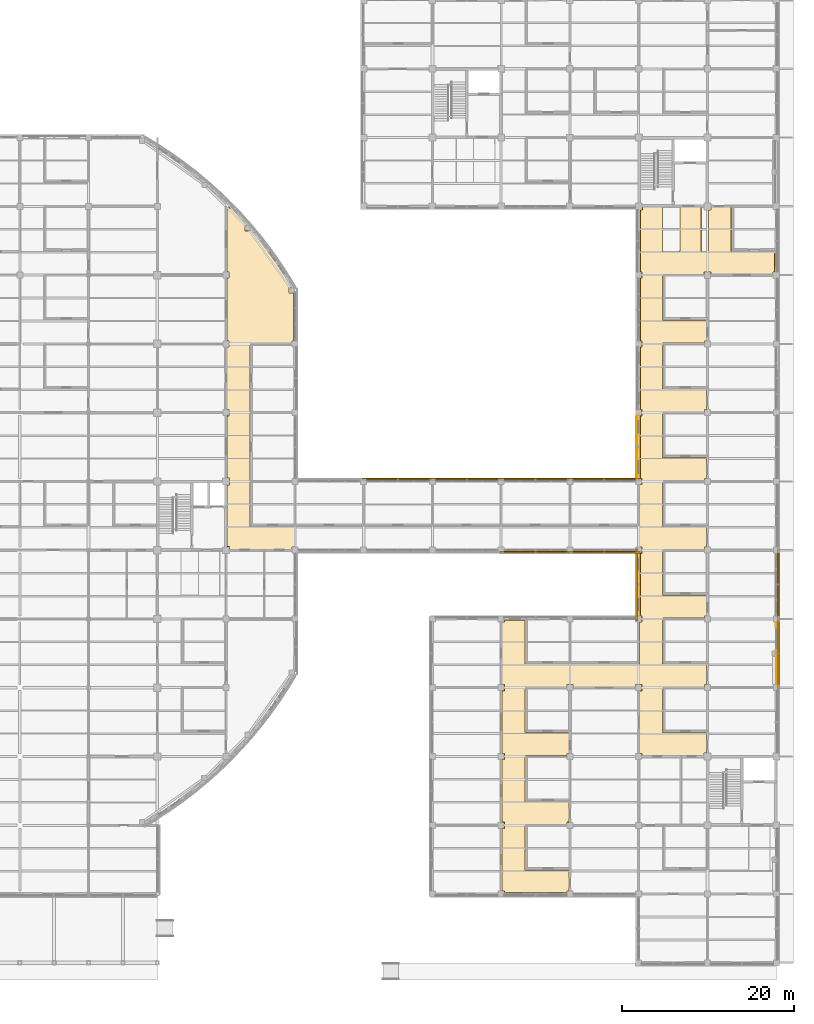
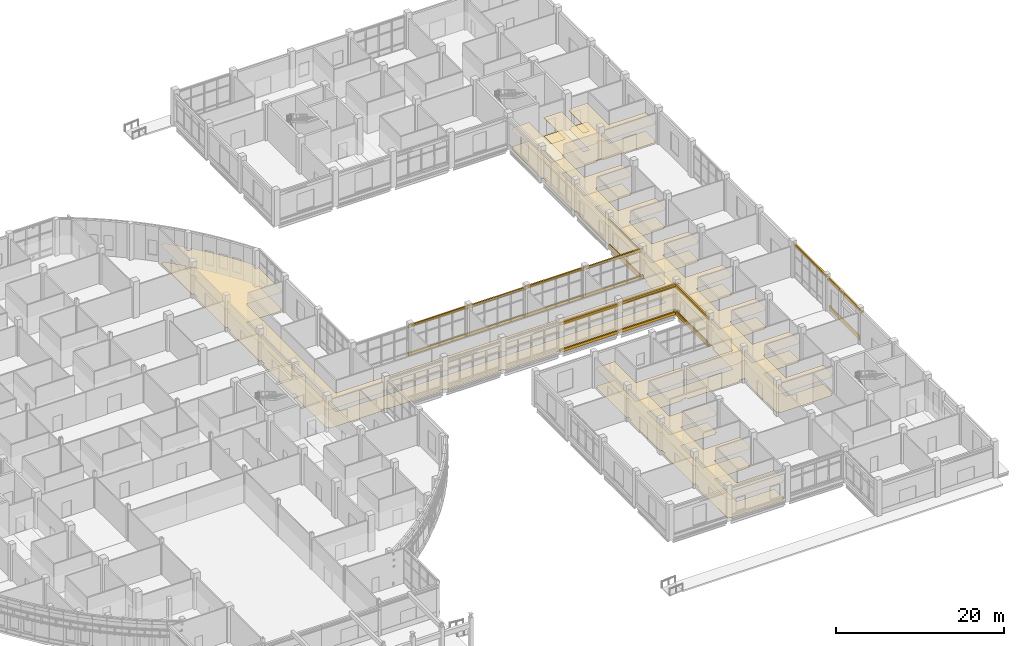
# One storey, part 103 of 105: 21 coverings, 10 shading devices.
"""IFC4 building model written with IfcOpenShell, lengths in metres."""

import ifcopenshell
import ifcopenshell.guid

model = None  # the IFC model being written
_history = None  # IfcOwnerHistory: only IFC2X3 demands one
_inside = {}  # id of a spatial element -> (the spatial element, [elements in it])
_under = {}  # id of a project, library or spatial element -> (it, [spatial elements below it])
_declared = {}  # id of a project -> (the project, [libraries it declares])
_typed = {}  # id of a type object -> (the type object, [elements of that type])
_made_of = {}  # id of a material, layer set ... -> (it, [elements and type objects made of it])


def new_model(schema):
    """Start an empty IFC model of exactly this schema.

    Asked for "IFC4X3", IfcOpenShell would pick the latest addendum, in which some entities
    have other attributes; the version numbers below select the first issue.
    IFC2X3 requires an IfcOwnerHistory on every rooted entity: one is made here for all.
    """
    global model, _history
    if schema == "IFC4X3":
        model = ifcopenshell.file(schema_version=(4, 3, 0, 0))
    else:
        model = ifcopenshell.file(schema=schema)
    _inside.clear()
    _under.clear()
    _declared.clear()
    _typed.clear()
    _made_of.clear()
    _history = None
    if model.schema == "IFC2X3":
        org = make("IfcOrganization", Name="unknown")
        user = make(
            "IfcPersonAndOrganization",
            ThePerson=make("IfcPerson", FamilyName="unknown"),
            TheOrganization=org,
        )
        app = make(
            "IfcApplication",
            ApplicationDeveloper=org,
            Version="unknown",
            ApplicationFullName="unknown",
            ApplicationIdentifier="unknown",
        )
        _history = make(
            "IfcOwnerHistory",
            OwningUser=user,
            OwningApplication=app,
            ChangeAction="ADDED",
            CreationDate=0,
        )
    return model


def make(cls, **values):
    """One entity of the class cls with the attributes given. An attribute that is None is left unset."""
    return model.create_entity(
        cls, **{name: value for name, value in values.items() if value is not None}
    )


def rooted(cls, **values):
    """An entity with a GlobalId (a new one), such as an element, a storey or a relation."""
    return make(cls, GlobalId=ifcopenshell.guid.new(), OwnerHistory=_history, **values)


def si_unit(unit_type, name, prefix=None):
    """IfcSIUnit, for example si_unit("LENGTHUNIT", "METRE", prefix="MILLI")."""
    return make("IfcSIUnit", UnitType=unit_type, Prefix=prefix, Name=name)


def derived_unit(unit_type, elements):
    """IfcDerivedUnit: a product of units, each with its exponent."""
    return make(
        "IfcDerivedUnit",
        Elements=[
            make("IfcDerivedUnitElement", Unit=unit, Exponent=power)
            for unit, power in elements
        ],
        UnitType=unit_type,
    )


def assignment(units):
    """IfcUnitAssignment: the units of a project."""
    return None if units is None else make("IfcUnitAssignment", Units=units)


def point(xyz):
    """IfcCartesianPoint."""
    return None if xyz is None else make("IfcCartesianPoint", Coordinates=xyz)


def direction(xyz):
    """IfcDirection."""
    return None if xyz is None else make("IfcDirection", DirectionRatios=xyz)


def frame(location, z_axis=None, x_axis=None):
    """IfcAxis2Placement3D, a coordinate frame: its origin and axes. An axis left out is left unset."""
    return make(
        "IfcAxis2Placement3D",
        Location=point(location),
        Axis=direction(z_axis),
        RefDirection=direction(x_axis),
    )


def frame_2d(location, x_axis=None):
    """IfcAxis2Placement2D, a coordinate frame in the plane: its origin and x axis."""
    return make(
        "IfcAxis2Placement2D", Location=point(location), RefDirection=direction(x_axis)
    )


def origin():
    """The frame at (0, 0, 0) with its axes left unset."""
    return frame((0.0, 0.0, 0.0))


def origin_2d():
    """The frame at (0, 0) in the plane with its x axis left unset."""
    return frame_2d((0.0, 0.0))


def place(relative_to, where):
    """IfcLocalPlacement: puts the frame where relative to a parent placement (None: the world)."""
    return make(
        "IfcLocalPlacement", PlacementRelTo=relative_to, RelativePlacement=where
    )


def context(
    kind, dimensions, precision=None, world=None, true_north=None, identifier=None
):
    """IfcGeometricRepresentationContext, for example the 3D "Model" context."""
    return make(
        "IfcGeometricRepresentationContext",
        ContextIdentifier=identifier,
        ContextType=kind,
        CoordinateSpaceDimension=dimensions,
        Precision=precision,
        WorldCoordinateSystem=world,
        TrueNorth=true_north,
    )


def subcontext(parent, identifier, kind, view, scale=None):
    """IfcGeometricRepresentationSubContext, for example "Body" below "Model"."""
    return make(
        "IfcGeometricRepresentationSubContext",
        ContextIdentifier=identifier,
        ContextType=kind,
        ParentContext=parent,
        TargetScale=scale,
        TargetView=view,
    )


def project(units=None, contexts=None):
    """IfcProject with its units and contexts."""
    return rooted(
        "IfcProject",
        Name="project",
        RepresentationContexts=contexts,
        UnitsInContext=assignment(units),
    )


def spatial(cls, under=None, at=None, **own):
    """A site, building, storey or space (cls), placed at a placement, below another one or the project."""
    s = rooted(cls, ObjectPlacement=at, **own)
    if under is not None:
        _under.setdefault(under.id(), (under, []))[1].append(s)
    return s


def polyline(points):
    """IfcPolyline through the points."""
    return make("IfcPolyline", Points=[point(p) for p in points])


def profile(cls, at=None, kind="AREA", **sizes):
    """A parametric profile (cls). Its sizes go by their IFC names, for example OverallWidth=200.0."""
    return make(cls, ProfileType=kind, Position=at, **sizes)


def rectangle(**sizes):
    """IfcRectangleProfileDef."""
    return profile("IfcRectangleProfileDef", **sizes)


def circle(**sizes):
    """IfcCircleProfileDef."""
    return profile("IfcCircleProfileDef", **sizes)


def outline(outer, holes=None, kind="AREA"):
    """IfcArbitraryClosedProfileDef: a profile drawn as a closed curve; with holes, ...WithVoids."""
    if holes is None:
        return make("IfcArbitraryClosedProfileDef", ProfileType=kind, OuterCurve=outer)
    return make(
        "IfcArbitraryProfileDefWithVoids",
        ProfileType=kind,
        OuterCurve=outer,
        InnerCurves=holes,
    )


def extrude(swept, where, along, depth):
    """IfcExtrudedAreaSolid: the profile swept, set in the frame where, extruded along a direction by depth."""
    return make(
        "IfcExtrudedAreaSolid",
        SweptArea=swept,
        Position=where,
        ExtrudedDirection=direction(along),
        Depth=depth,
    )


def shape(context_of_items, identifier, shape_type, items):
    """IfcShapeRepresentation: the items that make up one representation, for example the "Body"."""
    return make(
        "IfcShapeRepresentation",
        ContextOfItems=context_of_items,
        RepresentationIdentifier=identifier,
        RepresentationType=shape_type,
        Items=items,
    )


def material(Name=None, Category=None):
    """IfcMaterial."""
    return make("IfcMaterial", Name=Name, Category=Category)


def layer(
    of_material, thickness, ventilated=None, Name=None, Category=None, Priority=None
):
    """IfcMaterialLayer: one layer of a wall or slab, of a material (None: an air gap)."""
    return make(
        "IfcMaterialLayer",
        Material=of_material,
        LayerThickness=thickness,
        IsVentilated=ventilated,
        Name=Name,
        Category=Category,
        Priority=Priority,
    )


def layer_set(layers, Name=None):
    """IfcMaterialLayerSet."""
    return make("IfcMaterialLayerSet", MaterialLayers=layers, LayerSetName=Name)


def material_profile(
    of_material, cross_section, Name=None, Category=None, Priority=None
):
    """IfcMaterialProfile: a cross section and its material."""
    return make(
        "IfcMaterialProfile",
        Name=Name,
        Material=of_material,
        Profile=cross_section,
        Priority=Priority,
        Category=Category,
    )


def profile_set(profiles, Name=None, composite=None):
    """IfcMaterialProfileSet."""
    return make(
        "IfcMaterialProfileSet",
        Name=Name,
        MaterialProfiles=profiles,
        CompositeProfile=composite,
    )


def made_of(thing, what):
    """Note that an element or type object is made of a material, layer set ...; save() writes the relation."""
    if what is not None:
        _made_of.setdefault(what.id(), (what, []))[1].append(thing)
    return thing


def type_object(cls, material=None, **own):
    """A type object (cls), such as IfcWallType, which elements share."""
    return made_of(rooted(cls, **own), material)


def element(
    cls,
    number,
    at=None,
    inside=None,
    cuts=None,
    type_object=None,
    material=None,
    context=None,
    identifier="Body",
    shape_type=None,
    held_by="IfcProductDefinitionShape",
    body=None,
    shapes=None,
    **own,
):
    """One element of the class cls, such as IfcWall. Its Tag is "e" and its number.

    at: its placement. inside: the storey or other place that contains it. cuts: it is an
    opening in that element (IfcRelVoidsElement). A single representation is given by context,
    identifier, shape_type and body (its items); several are given by shapes. held_by: the class
    of the entity that holds the representations. save() writes the other relations.
    """
    e = rooted(cls, Tag="e%d" % number, ObjectPlacement=at, **own)
    if body is not None:
        shapes = [shape(context, identifier, shape_type, body)]
    if shapes is not None:
        e.Representation = make(held_by, Representations=shapes)
    if inside is not None:
        _inside.setdefault(inside.id(), (inside, []))[1].append(e)
    if cuts is not None:
        rooted(
            "IfcRelVoidsElement", RelatingBuildingElement=cuts, RelatedOpeningElement=e
        )
    if type_object is not None:
        _typed.setdefault(type_object.id(), (type_object, []))[1].append(e)
    return made_of(e, material)


def aggregate(whole, parts):
    """IfcRelAggregates: a whole, such as a stair, and the parts it consists of."""
    return rooted("IfcRelAggregates", RelatingObject=whole, RelatedObjects=parts)


def save(model, path):
    """Write the relations noted so far, then the file.

    IfcRelAggregates (storeys below a building ...), IfcRelContainedInSpatialStructure (elements
    in a storey), IfcRelDefinesByType, IfcRelAssociatesMaterial and IfcRelDeclares: one each for
    every whole, place, type object, material and project.
    """
    for whole, parts in _under.values():
        aggregate(whole, parts)
    for where, things in _inside.values():
        rooted(
            "IfcRelContainedInSpatialStructure",
            RelatedElements=things,
            RelatingStructure=where,
        )
    for kind, things in _typed.values():
        rooted("IfcRelDefinesByType", RelatedObjects=things, RelatingType=kind)
    for what, things in _made_of.values():
        rooted("IfcRelAssociatesMaterial", RelatedObjects=things, RelatingMaterial=what)
    for by, libraries in _declared.values():
        rooted("IfcRelDeclares", RelatingContext=by, RelatedDefinitions=libraries)
    model.write(path)


model = new_model("IFC4")

# Units and contexts
model_context = context("Model", 3, precision=1e-05, world=origin(), true_north=direction((0.0, 1.0)))
body_context = subcontext(model_context, "Body", "Model", "MODEL_VIEW")
ifc_project = project(units=[si_unit("LENGTHUNIT", "METRE"), si_unit("AREAUNIT", "SQUARE_METRE"), si_unit("VOLUMEUNIT", "CUBIC_METRE"), si_unit("PLANEANGLEUNIT", "RADIAN"), si_unit("MASSUNIT", "GRAM", prefix="KILO"), derived_unit("THERMALTRANSMITTANCEUNIT", [(si_unit("MASSUNIT", "GRAM", prefix="KILO"), 1), (si_unit("TIMEUNIT", "SECOND"), -3), (si_unit("THERMODYNAMICTEMPERATUREUNIT", "KELVIN"), -1)])], contexts=[model_context])

# Site, building, storey
site_placement = place(None, origin())
site = spatial("IfcSite", under=ifc_project, at=site_placement, CompositionType="ELEMENT")
building_placement = place(site_placement, origin())
building = spatial("IfcBuilding", under=site, at=building_placement, Name="Veyamyaing Civic Hall", CompositionType="ELEMENT")
storey_placement = place(building_placement, origin())
storey = spatial("IfcBuildingStorey", under=building, at=storey_placement, Name="L00", CompositionType="ELEMENT", Elevation=0.0)

# Coverings
ifc_material_1 = material(Name="Buff sandstone ashlar cladding", Category="masonry")
ifc_layer_1 = layer(ifc_material_1, 0.050048828125, Name="Buff sandstone ashlar cladding")
ifc_layer_set_1 = layer_set([ifc_layer_1], Name="Buff sandstone ashlar cladding")
covering_type_1 = type_object("IfcCoveringType", Name="CL-01", PredefinedType="CLADDING", material=ifc_layer_set_1)
for number, where, z_axis, x_axis, name in (
    (1, (159.839111328125, 44.0, 0.044921875), (0.0, 0.0, 1.0), (0.0, 1.0, 0.0), "Facade spandrel cladding CL-01 L00 W 21.6"),
    (2, (159.839111328125, 60.0, 0.044921875), (0.0, 0.0, 1.0), (0.0, 1.0, 0.0), "Facade spandrel cladding CL-01 L00 W 21.8"),
    (3, (176.156005859375, 36.0, 0.044921875), (0.0, 0.0, 1.0), (0.0, 1.0, 0.0), "Facade spandrel cladding CL-01 L00 E 22.5"),
):
    element("IfcCovering", number, at=place(storey_placement, frame(where, z_axis=z_axis, x_axis=x_axis)), inside=storey, type_object=covering_type_1, Name=name, PredefinedType="CLADDING", context=body_context, shape_type="SweptSolid", body=[
        extrude(rectangle(XDim=7.25, YDim=0.050048828125, at=origin_2d()), origin(), (0.0, 0.0, 1.0), 0.75),
    ])
ifc_material_2 = material(Name="White powder-coated aluminium 6063-T6", Category="aluminium")
ifc_layer_2 = layer(ifc_material_2, 0.2099609375, Name="White powder-coated aluminium 6063-T6")
ifc_layer_set_2 = layer_set([ifc_layer_2], Name="White powder-coated aluminium 6063-T6")
covering_type_2 = type_object("IfcCoveringType", Name="CL-03", PredefinedType="CLADDING", material=ifc_layer_set_2)
for number, where, z_axis, x_axis, name in (
    (4, (132.0, 56.239990234375, 4.297119140625), (0.0, 0.0, 1.0), (1.0, 0.0, 0.0), "Continuous white head fascia ribbon CL-03 L00 N 17.7"),
    (5, (132.0, 56.239990234375, 0.280029296875), (0.0, 0.0, 1.0), (1.0, 0.0, 0.0), "Continuous white sill fascia ribbon CL-03 L00 N 17.7"),
    (6, (140.0, 56.239990234375, 4.22998046875), (0.0, 0.0, 1.0), (1.0, 0.0, 0.0), "Continuous white head fascia ribbon CL-03 L00 N 18.7"),
    (7, (140.0, 56.239990234375, 0.280029296875), (0.0, 0.0, 1.0), (1.0, 0.0, 0.0), "Continuous white sill fascia ribbon CL-03 L00 N 18.7"),
    (8, (148.0, 47.760009765625, 4.22998046875), (0.0, 0.0, 1.0), (1.0, 0.0, 0.0), "Continuous white head fascia ribbon CL-03 L00 S 19.7"),
    (9, (148.0, 47.760009765625, 0.280029296875), (0.0, 0.0, 1.0), (1.0, 0.0, 0.0), "Continuous white sill fascia ribbon CL-03 L00 S 19.7"),
    (10, (148.0, 56.239990234375, 4.2939453125), (0.0, 0.0, 1.0), (1.0, 0.0, 0.0), "Continuous white head fascia ribbon CL-03 L00 N 19.7"),
    (11, (148.0, 56.239990234375, 0.280029296875), (0.0, 0.0, 1.0), (1.0, 0.0, 0.0), "Continuous white sill fascia ribbon CL-03 L00 N 19.7"),
    (12, (156.0, 47.760009765625, 4.2939453125), (0.0, 0.0, 1.0), (1.0, 0.0, 0.0), "Continuous white head fascia ribbon CL-03 L00 S 20.7"),
    (13, (156.0, 47.760009765625, 0.280029296875), (0.0, 0.0, 1.0), (1.0, 0.0, 0.0), "Continuous white sill fascia ribbon CL-03 L00 S 20.7"),
    (14, (156.0, 56.239990234375, 4.234130859375), (0.0, 0.0, 1.0), (1.0, 0.0, 0.0), "Continuous white head fascia ribbon CL-03 L00 N 20.7"),
    (15, (156.0, 56.239990234375, 0.280029296875), (0.0, 0.0, 1.0), (1.0, 0.0, 0.0), "Continuous white sill fascia ribbon CL-03 L00 N 20.7"),
    (16, (159.760009765625, 44.0, 4.2939453125), (0.0, 0.0, 1.0), (0.0, 1.0, 0.0), "Continuous white head fascia ribbon CL-03 L00 W 21.6"),
    (17, (159.760009765625, 44.0, 0.280029296875), (0.0, 0.0, 1.0), (0.0, 1.0, 0.0), "Continuous white sill fascia ribbon CL-03 L00 W 21.6"),
    (18, (176.239990234375, 36.0, 4.234130859375), (0.0, 0.0, 1.0), (0.0, 1.0, 0.0), "Continuous white head fascia ribbon CL-03 L00 E 22.5"),
    (19, (176.239990234375, 44.0, 4.297119140625), (0.0, 0.0, 1.0), (0.0, 1.0, 0.0), "Continuous white head fascia ribbon CL-03 L00 E 22.6"),
):
    element("IfcCovering", number, at=place(storey_placement, frame(where, z_axis=z_axis, x_axis=x_axis)), inside=storey, type_object=covering_type_2, Name=name, PredefinedType="CLADDING", context=body_context, shape_type="SweptSolid", body=[
        extrude(rectangle(XDim=8.360107421875, YDim=0.2099609375, at=origin_2d()), origin(), (0.0, 0.0, 1.0), 0.39990234375),
    ])
ifc_material_3 = material(Name="Perforated acoustic gypsum ceiling board")
ifc_layer_3 = layer(ifc_material_3, 0.02490234375, Name="Perforated acoustic gypsum ceiling board")
ifc_layer_set_3 = layer_set([ifc_layer_3], Name="Perforated acoustic gypsum ceiling board")
covering_type_3 = type_object("IfcCoveringType", Name="CLG-01", PredefinedType="CEILING", material=ifc_layer_set_3)
covering_1_placement = place(storey_placement, frame((0.0, 0.0, 2.699951171875)))
element("IfcCovering", 20, at=covering_1_placement, inside=storey, type_object=covering_type_3, Name="Acoustic suspended ceiling CLG-01 L00-C06", PredefinedType="CEILING", context=body_context, shape_type="SweptSolid", body=[
    extrude(outline(polyline([(114.595703125, 85.751708984375), (114.210205078125, 85.751708984375), (114.210205078125, 85.181640625), (114.780029296875, 85.181640625), (114.780029296875, 85.537841796875), (115.83740234375, 84.26171875), (116.9267578125, 82.842041015625), (117.962158203125, 81.3828125), (118.9423828125, 79.8857421875), (119.77392578125, 78.505859375), (119.351318359375, 78.505859375), (119.351318359375, 77.935791015625), (119.844970703125, 77.935791015625), (119.844970703125, 72.3349609375), (119.6650390625, 72.3349609375), (119.6650390625, 72.074951171875), (114.851806640625, 72.074951171875), (114.8291015625, 72.071533203125), (114.80224609375, 72.057373046875), (114.788330078125, 72.0419921875), (114.77685546875, 72.014404296875), (114.77490234375, 50.8525390625), (114.78125, 50.821533203125), (114.79736328125, 50.79736328125), (114.822021484375, 50.78076171875), (114.84326171875, 50.775390625), (159.998779296875, 50.77490234375), (160.013916015625, 50.776611328125), (160.03515625, 50.7841796875), (160.052734375, 50.797119140625), (160.06591796875, 50.814697265625), (160.073486328125, 50.8359375), (160.074951171875, 50.851318359375), (160.074951171875, 55.6650390625), (160.3349609375, 55.6650390625), (160.3349609375, 56.3349609375), (160.155029296875, 56.3349609375), (160.155029296875, 63.6650390625), (160.3349609375, 63.6650390625), (160.3349609375, 64.3349609375), (160.155029296875, 64.3349609375), (160.155029296875, 71.6650390625), (160.3349609375, 71.6650390625), (160.3349609375, 72.3349609375), (160.155029296875, 72.3349609375), (160.155029296875, 79.6650390625), (160.3349609375, 79.6650390625), (160.3349609375, 80.3349609375), (160.155029296875, 80.3349609375), (160.155029296875, 87.614990234375), (160.385009765625, 87.614990234375), (160.385009765625, 87.925048828125), (162.77490234375, 87.925048828125), (162.77490234375, 82.851806640625), (162.778564453125, 82.828369140625), (162.78759765625, 82.80908203125), (162.80908203125, 82.78759765625), (162.828369140625, 82.778564453125), (162.851806640625, 82.77490234375), (164.6982421875, 82.77490234375), (164.7216796875, 82.778564453125), (164.741455078125, 82.787841796875), (164.7578125, 82.802490234375), (164.768798828125, 82.82080078125), (164.77490234375, 82.8525390625), (164.77490234375, 87.925048828125), (167.27490234375, 87.925048828125), (167.27490234375, 82.8525390625), (167.28125, 82.821533203125), (167.29736328125, 82.79736328125), (167.321533203125, 82.78125), (167.352294921875, 82.77490234375), (168.006591796875, 82.775390625), (168.028564453125, 82.781005859375), (168.046875, 82.7919921875), (168.066162109375, 82.8154296875), (168.072998046875, 82.8349609375), (168.074951171875, 87.614990234375), (168.385009765625, 87.614990234375), (168.385009765625, 87.925048828125), (170.77490234375, 87.925048828125), (170.77490234375, 82.8525390625), (170.78125, 82.821533203125), (170.79736328125, 82.79736328125), (170.821533203125, 82.78125), (170.8525390625, 82.77490234375), (175.844970703125, 82.77490234375), (175.844970703125, 80.360107421875), (175.639892578125, 80.360107421875), (175.639892578125, 80.074951171875), (168.360107421875, 80.074951171875), (168.360107421875, 80.360107421875), (167.639892578125, 80.360107421875), (167.639892578125, 80.074951171875), (162.851806640625, 80.074951171875), (162.8291015625, 80.071533203125), (162.802734375, 80.0576171875), (162.7841796875, 80.03515625), (162.775390625, 80.006103515625), (162.77490234375, 74.8525390625), (162.78125, 74.821533203125), (162.79736328125, 74.79736328125), (162.821533203125, 74.78125), (162.8525390625, 74.77490234375), (167.925048828125, 74.77490234375), (167.925048828125, 72.3349609375), (167.6650390625, 72.3349609375), (167.6650390625, 72.074951171875), (162.851806640625, 72.074951171875), (162.8291015625, 72.071533203125), (162.802734375, 72.0576171875), (162.7841796875, 72.03515625), (162.775390625, 72.006103515625), (162.77490234375, 66.8525390625), (162.78125, 66.821533203125), (162.79736328125, 66.79736328125), (162.821533203125, 66.78125), (162.8525390625, 66.77490234375), (167.925048828125, 66.77490234375), (167.925048828125, 64.3349609375), (167.6650390625, 64.3349609375), (167.6650390625, 64.074951171875), (162.851806640625, 64.074951171875), (162.8291015625, 64.071533203125), (162.802734375, 64.0576171875), (162.7841796875, 64.03515625), (162.775390625, 64.006103515625), (162.77490234375, 58.8525390625), (162.78125, 58.821533203125), (162.79736328125, 58.79736328125), (162.821533203125, 58.78125), (162.8525390625, 58.77490234375), (167.925048828125, 58.77490234375), (167.925048828125, 56.3349609375), (167.6650390625, 56.3349609375), (167.6650390625, 56.074951171875), (162.851806640625, 56.074951171875), (162.8291015625, 56.071533203125), (162.802734375, 56.0576171875), (162.783935546875, 56.03466796875), (162.77685546875, 56.01513671875), (162.77490234375, 50.8525390625), (162.78125, 50.821533203125), (162.79736328125, 50.79736328125), (162.821533203125, 50.78125), (162.8525390625, 50.77490234375), (167.925048828125, 50.77490234375), (167.925048828125, 48.3349609375), (167.6650390625, 48.3349609375), (167.6650390625, 48.074951171875), (162.851806640625, 48.074951171875), (162.8291015625, 48.071533203125), (162.80224609375, 48.057373046875), (162.787841796875, 48.04150390625), (162.778564453125, 48.021728515625), (162.77490234375, 47.998291015625), (162.77490234375, 42.851806640625), (162.778564453125, 42.828369140625), (162.787841796875, 42.80859375), (162.802978515625, 42.791748046875), (162.814208984375, 42.7841796875), (162.8359375, 42.776611328125), (162.851318359375, 42.77490234375), (167.925048828125, 42.77490234375), (167.925048828125, 40.3349609375), (167.6650390625, 40.3349609375), (167.6650390625, 40.074951171875), (162.8525390625, 40.074951171875), (162.821533203125, 40.06884765625), (162.79736328125, 40.052734375), (162.78125, 40.028564453125), (162.77490234375, 39.99755859375), (162.77685546875, 34.8349609375), (162.783935546875, 34.8154296875), (162.802734375, 34.79248046875), (162.8291015625, 34.7783203125), (162.851806640625, 34.77490234375), (167.925048828125, 34.77490234375), (167.925048828125, 32.3349609375), (167.6650390625, 32.3349609375), (167.6650390625, 32.074951171875), (162.8525390625, 32.074951171875), (162.821533203125, 32.06884765625), (162.79736328125, 32.052734375), (162.78125, 32.028564453125), (162.77490234375, 31.99755859375), (162.775390625, 26.843994140625), (162.7841796875, 26.81494140625), (162.802734375, 26.79248046875), (162.8291015625, 26.7783203125), (162.851806640625, 26.77490234375), (167.925048828125, 26.77490234375), (167.925048828125, 24.385009765625), (167.614990234375, 24.385009765625), (167.614990234375, 24.074951171875), (160.3349609375, 24.074951171875), (160.3349609375, 24.3349609375), (160.074951171875, 24.3349609375), (160.074951171875, 31.6650390625), (160.3349609375, 31.6650390625), (160.3349609375, 32.3349609375), (159.6650390625, 32.3349609375), (159.6650390625, 32.074951171875), (152.3349609375, 32.074951171875), (152.3349609375, 32.3349609375), (151.6650390625, 32.3349609375), (151.6650390625, 32.074951171875), (146.851806640625, 32.074951171875), (146.8291015625, 32.071533203125), (146.80224609375, 32.057373046875), (146.787841796875, 32.04150390625), (146.778564453125, 32.021728515625), (146.77490234375, 31.998291015625), (146.77490234375, 26.8525390625), (146.78125, 26.821533203125), (146.79736328125, 26.79736328125), (146.821533203125, 26.78125), (146.8525390625, 26.77490234375), (151.925048828125, 26.77490234375), (151.925048828125, 24.3349609375), (151.6650390625, 24.3349609375), (151.6650390625, 24.074951171875), (146.851318359375, 24.074951171875), (146.8359375, 24.073486328125), (146.814208984375, 24.065673828125), (146.802978515625, 24.05810546875), (146.787841796875, 24.04150390625), (146.778564453125, 24.021728515625), (146.77490234375, 23.998291015625), (146.77490234375, 18.851806640625), (146.778564453125, 18.828369140625), (146.787841796875, 18.80859375), (146.80224609375, 18.792724609375), (146.8291015625, 18.7783203125), (146.851806640625, 18.77490234375), (151.925048828125, 18.77490234375), (151.925048828125, 16.3349609375), (151.6650390625, 16.3349609375), (151.6650390625, 16.074951171875), (146.8525390625, 16.074951171875), (146.821533203125, 16.06884765625), (146.79736328125, 16.052734375), (146.78125, 16.028564453125), (146.77490234375, 15.99755859375), (146.77685546875, 10.8349609375), (146.783935546875, 10.8154296875), (146.802734375, 10.79248046875), (146.8291015625, 10.7783203125), (146.851806640625, 10.77490234375), (151.925048828125, 10.77490234375), (151.925048828125, 8.3349609375), (151.6650390625, 8.3349609375), (151.6650390625, 8.155029296875), (144.3349609375, 8.155029296875), (144.3349609375, 8.3349609375), (144.074951171875, 8.3349609375), (144.074951171875, 15.6650390625), (144.3349609375, 15.6650390625), (144.3349609375, 16.3349609375), (144.074951171875, 16.3349609375), (144.074951171875, 23.6650390625), (144.3349609375, 23.6650390625), (144.3349609375, 24.3349609375), (144.074951171875, 24.3349609375), (144.074951171875, 31.6650390625), (144.3349609375, 31.6650390625), (144.3349609375, 32.3349609375), (144.074951171875, 32.3349609375), (144.074951171875, 39.6650390625), (144.3349609375, 39.6650390625), (144.3349609375, 39.844970703125), (146.77490234375, 39.844970703125), (146.77490234375, 34.851806640625), (146.778564453125, 34.828369140625), (146.787841796875, 34.80859375), (146.80224609375, 34.792724609375), (146.8291015625, 34.7783203125), (146.851806640625, 34.77490234375), (159.998779296875, 34.77490234375), (160.013916015625, 34.776611328125), (160.03515625, 34.7841796875), (160.052734375, 34.797119140625), (160.06591796875, 34.814697265625), (160.073486328125, 34.8359375), (160.074951171875, 34.851318359375), (160.074951171875, 39.6650390625), (160.3349609375, 39.6650390625), (160.3349609375, 40.3349609375), (160.155029296875, 40.3349609375), (160.155029296875, 47.6650390625), (160.3349609375, 47.6650390625), (160.3349609375, 48.3349609375), (159.6650390625, 48.3349609375), (159.6650390625, 48.155029296875), (152.3349609375, 48.155029296875), (152.3349609375, 48.3349609375), (151.6650390625, 48.3349609375), (151.6650390625, 48.155029296875), (144.3349609375, 48.155029296875), (144.3349609375, 48.3349609375), (143.6650390625, 48.3349609375), (143.6650390625, 48.155029296875), (136.3349609375, 48.155029296875), (136.3349609375, 48.3349609375), (135.6650390625, 48.3349609375), (135.6650390625, 48.155029296875), (128.3349609375, 48.155029296875), (128.3349609375, 48.3349609375), (127.6650390625, 48.3349609375), (127.6650390625, 48.155029296875), (120.3349609375, 48.155029296875), (120.3349609375, 48.3349609375), (119.6650390625, 48.3349609375), (119.6650390625, 48.074951171875), (112.385009765625, 48.074951171875), (112.385009765625, 48.385009765625), (112.074951171875, 48.385009765625), (112.074951171875, 55.614990234375), (112.385009765625, 55.614990234375), (112.385009765625, 56.385009765625), (112.074951171875, 56.385009765625), (112.074951171875, 63.6650390625), (112.3349609375, 63.6650390625), (112.3349609375, 64.3349609375), (112.074951171875, 64.3349609375), (112.074951171875, 71.6650390625), (112.3349609375, 71.6650390625), (112.3349609375, 72.3349609375), (112.074951171875, 72.3349609375), (112.074951171875, 79.6650390625), (112.3349609375, 79.6650390625), (112.3349609375, 80.3349609375), (112.074951171875, 80.3349609375), (112.074951171875, 87.844970703125), (112.664306640625, 87.844970703125), (113.503662109375, 86.9736328125), (114.595703125, 85.751708984375)])), origin(), (0.0, 0.0, 1.0), 0.025146484375),
])
ifc_material_4 = material(Name="Polished Mandalay marble and terrazzo flooring", Category="masonry")
ifc_layer_4 = layer(ifc_material_4, 0.030029296875, Name="Polished Mandalay marble and terrazzo flooring")
ifc_layer_set_4 = layer_set([ifc_layer_4], Name="Polished Mandalay marble and terrazzo flooring")
covering_type_4 = type_object("IfcCoveringType", Name="FLR-01", PredefinedType="FLOORING", material=ifc_layer_set_4)
covering_2_placement = place(storey_placement, origin())
element("IfcCovering", 21, at=covering_2_placement, inside=storey, type_object=covering_type_4, Name="Stone and terrazzo flooring FLR-01 L00-C06", PredefinedType="FLOORING", context=body_context, shape_type="SweptSolid", body=[
    extrude(outline(polyline([(114.539794921875, 85.776611328125), (114.18505859375, 85.776611328125), (114.18505859375, 85.156494140625), (114.80517578125, 85.156494140625), (114.80517578125, 85.468505859375), (115.81787109375, 84.24609375), (116.906494140625, 82.8271484375), (117.94140625, 81.36865234375), (118.921142578125, 79.87255859375), (119.7294921875, 78.53076171875), (119.326416015625, 78.53076171875), (119.326416015625, 77.910888671875), (119.820068359375, 77.910888671875), (119.820068359375, 72.360107421875), (119.639892578125, 72.360107421875), (119.639892578125, 72.10009765625), (114.85009765625, 72.10009765625), (114.821044921875, 72.095703125), (114.78662109375, 72.077392578125), (114.766845703125, 72.0556640625), (114.751953125, 72.01953125), (114.75, 50.85009765625), (114.757568359375, 50.811767578125), (114.779296875, 50.779296875), (114.811767578125, 50.757568359375), (114.840087890625, 50.75048828125), (160.0, 50.75), (160.01953125, 50.751953125), (160.047119140625, 50.76171875), (160.07080078125, 50.779296875), (160.088134765625, 50.802978515625), (160.09814453125, 50.83056640625), (160.10009765625, 50.85009765625), (160.10009765625, 55.639892578125), (160.360107421875, 55.639892578125), (160.360107421875, 56.360107421875), (160.179931640625, 56.360107421875), (160.179931640625, 63.639892578125), (160.360107421875, 63.639892578125), (160.360107421875, 64.360107421875), (160.179931640625, 64.360107421875), (160.179931640625, 71.639892578125), (160.360107421875, 71.639892578125), (160.360107421875, 72.360107421875), (160.179931640625, 72.360107421875), (160.179931640625, 79.639892578125), (160.360107421875, 79.639892578125), (160.360107421875, 80.360107421875), (160.179931640625, 80.360107421875), (160.179931640625, 87.590087890625), (160.409912109375, 87.590087890625), (160.409912109375, 87.89990234375), (162.75, 87.89990234375), (162.75, 82.85009765625), (162.75439453125, 82.821044921875), (162.766845703125, 82.79443359375), (162.79443359375, 82.766845703125), (162.821044921875, 82.75439453125), (162.85009765625, 82.75), (164.699951171875, 82.75), (164.72900390625, 82.75439453125), (164.755615234375, 82.766845703125), (164.77734375, 82.78662109375), (164.79248046875, 82.811767578125), (164.800048828125, 82.85009765625), (164.800048828125, 87.89990234375), (167.25, 87.89990234375), (167.25, 82.85009765625), (167.257568359375, 82.811767578125), (167.279296875, 82.779296875), (167.311767578125, 82.757568359375), (167.35009765625, 82.75), (168.009765625, 82.75048828125), (168.038330078125, 82.757568359375), (168.0634765625, 82.772705078125), (168.088134765625, 82.802978515625), (168.09814453125, 82.83056640625), (168.10009765625, 87.590087890625), (168.409912109375, 87.590087890625), (168.409912109375, 87.89990234375), (170.75, 87.89990234375), (170.75, 82.85009765625), (170.757568359375, 82.811767578125), (170.779296875, 82.779296875), (170.811767578125, 82.757568359375), (170.85009765625, 82.75), (175.820068359375, 82.75), (175.820068359375, 80.385009765625), (175.614990234375, 80.385009765625), (175.614990234375, 80.10009765625), (168.385009765625, 80.10009765625), (168.385009765625, 80.385009765625), (167.614990234375, 80.385009765625), (167.614990234375, 80.10009765625), (162.85009765625, 80.10009765625), (162.821044921875, 80.095703125), (162.78662109375, 80.077392578125), (162.76171875, 80.047119140625), (162.75048828125, 80.009765625), (162.75, 74.85009765625), (162.757568359375, 74.811767578125), (162.779296875, 74.779296875), (162.811767578125, 74.757568359375), (162.85009765625, 74.75), (167.89990234375, 74.75), (167.89990234375, 72.360107421875), (167.639892578125, 72.360107421875), (167.639892578125, 72.10009765625), (162.85009765625, 72.10009765625), (162.821044921875, 72.095703125), (162.78662109375, 72.077392578125), (162.76171875, 72.047119140625), (162.75048828125, 72.009765625), (162.75, 66.85009765625), (162.757568359375, 66.811767578125), (162.779296875, 66.779296875), (162.811767578125, 66.757568359375), (162.85009765625, 66.75), (167.89990234375, 66.75), (167.89990234375, 64.360107421875), (167.639892578125, 64.360107421875), (167.639892578125, 64.10009765625), (162.85009765625, 64.10009765625), (162.821044921875, 64.095703125), (162.78662109375, 64.077392578125), (162.76171875, 64.047119140625), (162.75048828125, 64.009765625), (162.75, 58.85009765625), (162.757568359375, 58.811767578125), (162.779296875, 58.779296875), (162.811767578125, 58.757568359375), (162.85009765625, 58.75), (167.89990234375, 58.75), (167.89990234375, 56.360107421875), (167.639892578125, 56.360107421875), (167.639892578125, 56.10009765625), (162.85009765625, 56.10009765625), (162.821044921875, 56.095703125), (162.78662109375, 56.077392578125), (162.76171875, 56.047119140625), (162.751953125, 56.01953125), (162.75, 50.85009765625), (162.757568359375, 50.811767578125), (162.779296875, 50.779296875), (162.811767578125, 50.757568359375), (162.85009765625, 50.75), (167.89990234375, 50.75), (167.89990234375, 48.360107421875), (167.639892578125, 48.360107421875), (167.639892578125, 48.10009765625), (162.85009765625, 48.10009765625), (162.821044921875, 48.095703125), (162.78662109375, 48.077392578125), (162.766845703125, 48.0556640625), (162.75439453125, 48.029052734375), (162.75, 48.0), (162.75, 42.85009765625), (162.75439453125, 42.821044921875), (162.766845703125, 42.79443359375), (162.78662109375, 42.772705078125), (162.802978515625, 42.76171875), (162.83056640625, 42.751953125), (162.85009765625, 42.75), (167.89990234375, 42.75), (167.89990234375, 40.360107421875), (167.639892578125, 40.360107421875), (167.639892578125, 40.10009765625), (162.85009765625, 40.10009765625), (162.811767578125, 40.09228515625), (162.779296875, 40.07080078125), (162.757568359375, 40.038330078125), (162.75, 40.0), (162.751953125, 34.83056640625), (162.76171875, 34.802978515625), (162.78662109375, 34.772705078125), (162.821044921875, 34.75439453125), (162.85009765625, 34.75), (167.89990234375, 34.75), (167.89990234375, 32.360107421875), (167.639892578125, 32.360107421875), (167.639892578125, 32.10009765625), (162.85009765625, 32.10009765625), (162.811767578125, 32.09228515625), (162.779296875, 32.07080078125), (162.757568359375, 32.038330078125), (162.75, 32.0), (162.75048828125, 26.840087890625), (162.76171875, 26.802978515625), (162.78662109375, 26.772705078125), (162.821044921875, 26.75439453125), (162.85009765625, 26.75), (167.89990234375, 26.75), (167.89990234375, 24.409912109375), (167.590087890625, 24.409912109375), (167.590087890625, 24.10009765625), (160.360107421875, 24.10009765625), (160.360107421875, 24.360107421875), (160.10009765625, 24.360107421875), (160.10009765625, 31.639892578125), (160.360107421875, 31.639892578125), (160.360107421875, 32.360107421875), (159.639892578125, 32.360107421875), (159.639892578125, 32.10009765625), (152.360107421875, 32.10009765625), (152.360107421875, 32.360107421875), (151.639892578125, 32.360107421875), (151.639892578125, 32.10009765625), (146.85009765625, 32.10009765625), (146.821044921875, 32.095703125), (146.78662109375, 32.077392578125), (146.766845703125, 32.0556640625), (146.75439453125, 32.029052734375), (146.75, 32.0), (146.75, 26.85009765625), (146.757568359375, 26.811767578125), (146.779296875, 26.779296875), (146.811767578125, 26.757568359375), (146.85009765625, 26.75), (151.89990234375, 26.75), (151.89990234375, 24.360107421875), (151.639892578125, 24.360107421875), (151.639892578125, 24.10009765625), (146.85009765625, 24.10009765625), (146.83056640625, 24.09814453125), (146.802978515625, 24.088134765625), (146.78662109375, 24.077392578125), (146.766845703125, 24.0556640625), (146.75439453125, 24.029052734375), (146.75, 24.0), (146.75, 18.85009765625), (146.75439453125, 18.821044921875), (146.766845703125, 18.79443359375), (146.78662109375, 18.772705078125), (146.821044921875, 18.75439453125), (146.85009765625, 18.75), (151.89990234375, 18.75), (151.89990234375, 16.360107421875), (151.639892578125, 16.360107421875), (151.639892578125, 16.10009765625), (146.85009765625, 16.10009765625), (146.811767578125, 16.09228515625), (146.779296875, 16.07080078125), (146.757568359375, 16.038330078125), (146.75, 16.0), (146.751953125, 10.83056640625), (146.76171875, 10.802978515625), (146.78662109375, 10.772705078125), (146.821044921875, 10.75439453125), (146.85009765625, 10.75), (151.89990234375, 10.75), (151.89990234375, 8.360107421875), (151.639892578125, 8.360107421875), (151.639892578125, 8.179931640625), (144.360107421875, 8.179931640625), (144.360107421875, 8.360107421875), (144.10009765625, 8.360107421875), (144.10009765625, 15.639892578125), (144.360107421875, 15.639892578125), (144.360107421875, 16.360107421875), (144.10009765625, 16.360107421875), (144.10009765625, 23.639892578125), (144.360107421875, 23.639892578125), (144.360107421875, 24.360107421875), (144.10009765625, 24.360107421875), (144.10009765625, 31.639892578125), (144.360107421875, 31.639892578125), (144.360107421875, 32.360107421875), (144.10009765625, 32.360107421875), (144.10009765625, 39.639892578125), (144.360107421875, 39.639892578125), (144.360107421875, 39.820068359375), (146.75, 39.820068359375), (146.75, 34.85009765625), (146.75439453125, 34.821044921875), (146.766845703125, 34.79443359375), (146.78662109375, 34.772705078125), (146.821044921875, 34.75439453125), (146.85009765625, 34.75), (160.0, 34.75), (160.01953125, 34.751953125), (160.047119140625, 34.76171875), (160.07080078125, 34.779296875), (160.088134765625, 34.802978515625), (160.09814453125, 34.83056640625), (160.10009765625, 34.85009765625), (160.10009765625, 39.639892578125), (160.360107421875, 39.639892578125), (160.360107421875, 40.360107421875), (160.179931640625, 40.360107421875), (160.179931640625, 47.639892578125), (160.360107421875, 47.639892578125), (160.360107421875, 48.360107421875), (159.639892578125, 48.360107421875), (159.639892578125, 48.179931640625), (152.360107421875, 48.179931640625), (152.360107421875, 48.360107421875), (151.639892578125, 48.360107421875), (151.639892578125, 48.179931640625), (144.360107421875, 48.179931640625), (144.360107421875, 48.360107421875), (143.639892578125, 48.360107421875), (143.639892578125, 48.179931640625), (136.360107421875, 48.179931640625), (136.360107421875, 48.360107421875), (135.639892578125, 48.360107421875), (135.639892578125, 48.179931640625), (128.360107421875, 48.179931640625), (128.360107421875, 48.360107421875), (127.639892578125, 48.360107421875), (127.639892578125, 48.179931640625), (120.360107421875, 48.179931640625), (120.360107421875, 48.360107421875), (119.639892578125, 48.360107421875), (119.639892578125, 48.10009765625), (112.409912109375, 48.10009765625), (112.409912109375, 48.409912109375), (112.10009765625, 48.409912109375), (112.10009765625, 55.590087890625), (112.409912109375, 55.590087890625), (112.409912109375, 56.409912109375), (112.10009765625, 56.409912109375), (112.10009765625, 63.639892578125), (112.360107421875, 63.639892578125), (112.360107421875, 64.360107421875), (112.10009765625, 64.360107421875), (112.10009765625, 71.639892578125), (112.360107421875, 71.639892578125), (112.360107421875, 72.360107421875), (112.10009765625, 72.360107421875), (112.10009765625, 79.639892578125), (112.360107421875, 79.639892578125), (112.360107421875, 80.360107421875), (112.10009765625, 80.360107421875), (112.10009765625, 87.820068359375), (112.653564453125, 87.820068359375), (113.4853515625, 86.95654296875), (114.539794921875, 85.776611328125)])), origin(), (0.0, 0.0, 1.0), 0.030029296875),
])

# Shading devices
ifc_material_profile = material_profile(ifc_material_2, circle(Radius=0.090087890625, at=origin_2d()), Name="SHADE-TUBE-180")
ifc_profile_set = profile_set([ifc_material_profile], Name="White powder-coated aluminium 6063-T6")
shading_device_type = type_object("IfcShadingDeviceType", Name="SH-02", PredefinedType="USERDEFINED", material=ifc_profile_set)
for number, where, z_axis, x_axis, name in (
    (22, (128.3349609375, 56.239990234375, 4.45703125), (1.0, 0.0, 0.0), (0.0, 1.0, 0.0), "Horizontal white sunshade ribbon SH-02 L00 N 17.7"),
    (23, (136.3349609375, 56.239990234375, 4.389892578125), (1.0, 0.0, 0.0), (0.0, 1.0, 0.0), "Horizontal white sunshade ribbon SH-02 L00 N 18.7"),
    (24, (144.3349609375, 47.760009765625, 4.389892578125), (1.0, 0.0, 0.0), (0.0, 1.0, 0.0), "Horizontal white sunshade ribbon SH-02 L00 S 19.7"),
    (25, (144.3349609375, 56.239990234375, 4.4541015625), (1.0, 0.0, 0.0), (0.0, 1.0, 0.0), "Horizontal white sunshade ribbon SH-02 L00 N 19.7"),
    (26, (152.3349609375, 47.760009765625, 4.4541015625), (1.0, 0.0, 0.0), (0.0, 1.0, 0.0), "Horizontal white sunshade ribbon SH-02 L00 S 20.7"),
    (27, (152.3349609375, 56.239990234375, 4.39404296875), (1.0, 0.0, 0.0), (0.0, 1.0, 0.0), "Horizontal white sunshade ribbon SH-02 L00 N 20.7"),
    (28, (159.760009765625, 40.3349609375, 4.4541015625), (0.0, 1.0, 0.0), (-1.0, 0.0, 0.0), "Horizontal white sunshade ribbon SH-02 L00 W 21.6"),
    (29, (159.760009765625, 56.3349609375, 4.4619140625), (0.0, 1.0, 0.0), (-1.0, 0.0, 0.0), "Horizontal white sunshade ribbon SH-02 L00 W 21.8"),
    (30, (176.239990234375, 32.3349609375, 4.39404296875), (0.0, 1.0, 0.0), (-1.0, 0.0, 0.0), "Horizontal white sunshade ribbon SH-02 L00 E 22.5"),
    (31, (176.239990234375, 40.3349609375, 4.45703125), (0.0, 1.0, 0.0), (-1.0, 0.0, 0.0), "Horizontal white sunshade ribbon SH-02 L00 E 22.6"),
):
    element("IfcShadingDevice", number, at=place(storey_placement, frame(where, z_axis=z_axis, x_axis=x_axis)), inside=storey, type_object=shading_device_type, Name=name, ObjectType="SUNSHADE", PredefinedType="USERDEFINED", context=body_context, shape_type="SweptSolid", body=[
        extrude(circle(Radius=0.090087890625, at=origin_2d()), origin(), (0.0, 0.0, 1.0), 7.330078125),
    ])

save(model, "model.ifc")
